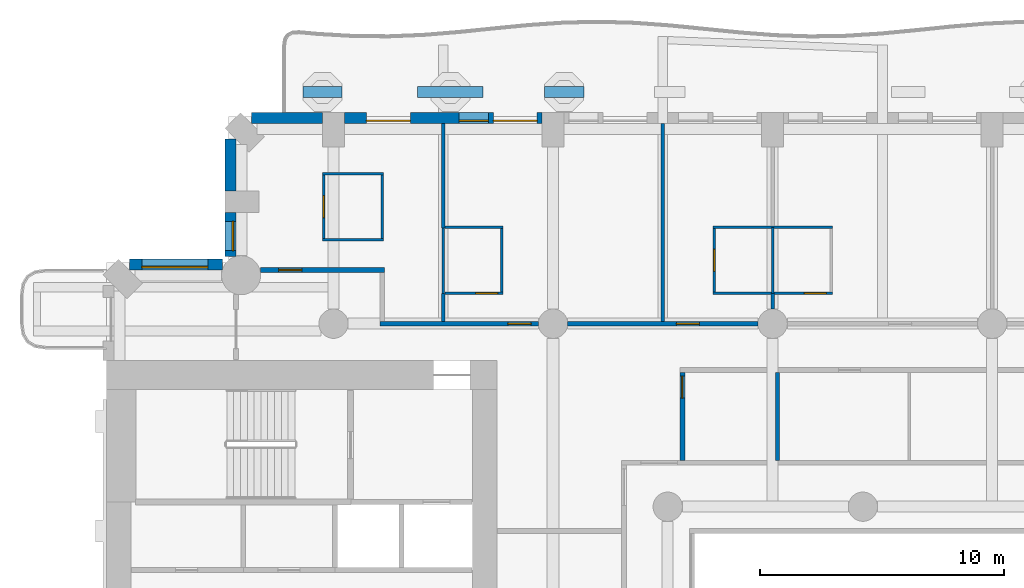
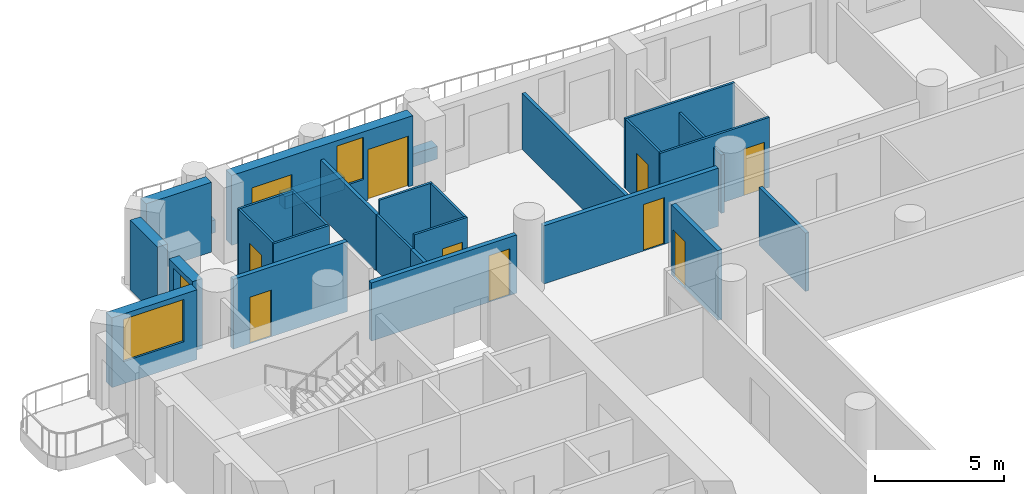
# One storey, part 8 of 20: 29 walls, 10 doors, 3 windows, 13 openings.
"""IFC4 building model written with IfcOpenShell, lengths in metres."""

from ifc_helpers import new_model, si_unit, direction, frame, frame_2d, origin, place, context, subcontext, project, spatial, rectangle, extrude, material, layer, layer_set, type_object, element, fill, save


model = new_model("IFC4")

# Units and contexts
model_context = context("Model", 3, precision=1e-05, world=origin(), true_north=direction((0.0, 1.0)))
body_context = subcontext(model_context, "Body", "Model", "MODEL_VIEW")
ifc_project = project(units=[si_unit("LENGTHUNIT", "METRE"), si_unit("AREAUNIT", "SQUARE_METRE"), si_unit("VOLUMEUNIT", "CUBIC_METRE"), si_unit("PLANEANGLEUNIT", "RADIAN"), si_unit("MASSUNIT", "GRAM", prefix="KILO")], contexts=[model_context])

# Site, building, storey
site_placement = place(None, origin())
site = spatial("IfcSite", under=ifc_project, at=site_placement, CompositionType="ELEMENT")
building_placement = place(site_placement, origin())
building = spatial("IfcBuilding", under=site, at=building_placement, Name="Cypress Arch Tower", CompositionType="ELEMENT")
storey_placement = place(building_placement, frame((0.0, 0.0, 95.10009765625)))
storey = spatial("IfcBuildingStorey", under=building, at=storey_placement, Name="L18", CompositionType="ELEMENT", Elevation=95.10009765625)

# Walls
ifc_material_1 = material(Name="Concrete C40/50, waterproofed", Category="concrete")
ifc_layer_1 = layer(ifc_material_1, 0.449951171875)
ifc_layer_set_1 = layer_set([ifc_layer_1], Name="Balcony planter wall PW450")
wall_type_1 = type_object("IfcWallType", Name="Balcony planter wall PW450", PredefinedType="SOLIDWALL", material=ifc_layer_set_1)
wall_1_placement = place(storey_placement, frame((-10.4375, 27.0, 0.0), z_axis=(0.0, 0.0, 1.0), x_axis=(-1.0, 0.0, 0.0)))
element("IfcWall", 1, at=wall_1_placement, inside=storey, type_object=wall_type_1, Name="Balcony planter wall L18-A08.4", PredefinedType="SOLIDWALL", context=body_context, shape_type="SweptSolid", body=[
    extrude(rectangle(XDim=1.612548828125, YDim=0.449951171875, at=frame_2d((0.80615234375, 0.0))), origin(), (0.0, 0.0, 1.0), 0.599853515625),
])
wall_2_placement = place(storey_placement, frame((-14.574951171875, 27.0, 0.0), z_axis=(0.0, 0.0, 1.0), x_axis=(-1.0, 0.0, 0.0)))
element("IfcWall", 2, at=wall_2_placement, inside=storey, type_object=wall_type_1, Name="Balcony planter wall L18-A08.5", PredefinedType="SOLIDWALL", context=body_context, shape_type="SweptSolid", body=[
    extrude(rectangle(XDim=2.675048828125, YDim=0.449951171875, at=frame_2d((1.33740234375, 0.0))), origin(), (0.0, 0.0, 1.0), 0.599853515625),
])
wall_3_placement = place(storey_placement, frame((-20.35009765625, 27.0, 0.0), z_axis=(0.0, 0.0, 1.0), x_axis=(-1.0, 0.0, 0.0)))
element("IfcWall", 3, at=wall_3_placement, inside=storey, type_object=wall_type_1, Name="Balcony planter wall L18-A08.6", PredefinedType="SOLIDWALL", context=body_context, shape_type="SweptSolid", body=[
    extrude(rectangle(XDim=1.599853515625, YDim=0.449951171875, at=frame_2d((0.7998046875, 0.0))), origin(), (0.0, 0.0, 1.0), 0.599853515625),
])

# Wall, openings, doors, window
ifc_material_2 = material(Name="Brick (red buff blend)", Category="masonry")
ifc_layer_2 = layer(ifc_material_2, 0.449951171875)
ifc_layer_set_2 = layer_set([ifc_layer_2], Name="Brick pier and spandrel wall BW450")
wall_type_2 = type_object("IfcWallType", Name="Brick pier and spandrel wall BW450", PredefinedType="SOLIDWALL", material=ifc_layer_set_2)
wall_4_placement = place(storey_placement, frame((-12.14990234375, 25.925048828125, 0.0), z_axis=(0.0, 0.0, 1.0), x_axis=(-1.0, 0.0, 0.0)))
wall_4 = element("IfcWall", 4, at=wall_4_placement, inside=storey, type_object=wall_type_2, Name="Brick wall L18 A08.3", PredefinedType="SOLIDWALL", context=body_context, shape_type="SweptSolid", body=[
    extrude(rectangle(XDim=8.10009765625, YDim=0.449951171875, at=frame_2d((4.050048828125, 0.0))), origin(), (0.0, 0.0, 1.0), 3.2998046875),
])
opening_1_placement = place(wall_4_placement, frame((0.199951171875, 0.0, 0.0)))
opening_1 = element("IfcOpeningElement", 5, at=opening_1_placement, cuts=wall_4, Name="Opening D-L18-A08.3.1", PredefinedType="OPENING", context=body_context, shape_type="SweptSolid", body=[
    extrude(rectangle(XDim=1.800048828125, YDim=2.39990234375, at=frame_2d((0.89990234375, 1.199951171875))), frame((0.0, 0.23486328125, 0.0), z_axis=(0.0, -1.0, 0.0), x_axis=(1.0, 0.0, 0.0)), (0.0, 0.0, 1.0), 0.469970703125),
])
opening_2_placement = place(wall_4_placement, frame((2.199951171875, 0.0, 1.050048828125)))
opening_2 = element("IfcOpeningElement", 6, at=opening_2_placement, cuts=wall_4, Name="Opening W120HD", PredefinedType="OPENING", context=body_context, shape_type="SweptSolid", body=[
    extrude(rectangle(XDim=1.199951171875, YDim=2.0, at=frame_2d((0.60009765625, 1.0))), frame((0.0, 0.23486328125, 0.0), z_axis=(0.0, -1.0, 0.0), x_axis=(1.0, 0.0, 0.0)), (0.0, 0.0, 1.0), 0.469970703125),
])
opening_3_placement = place(wall_4_placement, frame((5.39990234375, 0.0, 0.0)))
opening_3 = element("IfcOpeningElement", 7, at=opening_3_placement, cuts=wall_4, Name="Opening D-L18-A08.3.2", PredefinedType="OPENING", context=body_context, shape_type="SweptSolid", body=[
    extrude(rectangle(XDim=1.800048828125, YDim=2.39990234375, at=frame_2d((0.89990234375, 1.199951171875))), frame((0.0, 0.23486328125, 0.0), z_axis=(0.0, -1.0, 0.0), x_axis=(1.0, 0.0, 0.0)), (0.0, 0.0, 1.0), 0.469970703125),
])
ifc_material_3 = material(Name="Anodised aluminium, bronze finish, laminated low-emissivity double glazing, large-missile impact rated", Category="aluminium")
door_type_1 = type_object("IfcDoorType", Name="Balcony sliding door 1800x2400", OperationType="SLIDING_TO_LEFT", PredefinedType="DOOR", material=ifc_material_3)
door_1_placement = place(opening_1_placement, origin())
door_1 = element("IfcDoor", 8, at=door_1_placement, inside=storey, type_object=door_type_1, Name="Balcony door L18 A08.3.1", OperationType="SLIDING_TO_LEFT", OverallHeight=2.39990234375, OverallWidth=1.800048828125, PredefinedType="DOOR", context=body_context, shape_type="SweptSolid", body=[
    extrude(rectangle(XDim=1.800048828125, YDim=2.39990234375, at=frame_2d((0.89990234375, 1.199951171875))), frame((0.0, 0.1298828125, 0.0), z_axis=(0.0, -1.0, 0.0), x_axis=(1.0, 0.0, 0.0)), (0.0, 0.0, 1.0), 0.050048828125),
])
fill(opening_1, door_1)
door_2_placement = place(opening_3_placement, origin())
door_2 = element("IfcDoor", 9, at=door_2_placement, inside=storey, type_object=door_type_1, Name="Balcony door L18 A08.3.2", OperationType="SLIDING_TO_LEFT", OverallHeight=2.39990234375, OverallWidth=1.800048828125, PredefinedType="DOOR", context=body_context, shape_type="SweptSolid", body=[
    extrude(rectangle(XDim=1.800048828125, YDim=2.39990234375, at=frame_2d((0.89990234375, 1.199951171875))), frame((0.0, 0.1298828125, 0.0), z_axis=(0.0, -1.0, 0.0), x_axis=(1.0, 0.0, 0.0)), (0.0, 0.0, 1.0), 0.050048828125),
])
fill(opening_3, door_2)
ifc_material_4 = material(Name="Anodised aluminium, bronze finish, laminated low-emissivity double glazing, large-missile impact rated", Category="aluminium")
window_type_1 = type_object("IfcWindowType", Name="Window Hotel 1200x2000 debris-rated", PartitioningType="SINGLE_PANEL", PredefinedType="WINDOW", material=ifc_material_4)
window_1_placement = place(opening_2_placement, origin())
window_1 = element("IfcWindow", 10, at=window_1_placement, inside=storey, type_object=window_type_1, Name="Window L18 A08.3.1", OverallHeight=2.0, OverallWidth=1.199951171875, PartitioningType="SINGLE_PANEL", PredefinedType="WINDOW", context=body_context, shape_type="SweptSolid", body=[
    extrude(rectangle(XDim=1.199951171875, YDim=2.0, at=frame_2d((0.60009765625, 1.0))), frame((0.0, 0.135009765625, 0.0), z_axis=(0.0, -1.0, 0.0), x_axis=(1.0, 0.0, 0.0)), (0.0, 0.0, 1.0), 0.06005859375),
])
fill(opening_2, window_1)

# Walls
wall_5_placement = place(storey_placement, frame((-21.14990234375, 25.925048828125, 0.0), z_axis=(0.0, 0.0, 1.0), x_axis=(-1.0, 0.0, 0.0)))
element("IfcWall", 11, at=wall_5_placement, inside=storey, type_object=wall_type_2, Name="Brick wall L18 A08.4", PredefinedType="SOLIDWALL", context=body_context, shape_type="SweptSolid", body=[
    extrude(rectangle(XDim=2.913818359375, YDim=0.449951171875, at=frame_2d((1.45703125, 0.0))), origin(), (0.0, 0.0, 1.0), 3.2998046875),
])
wall_6_placement = place(storey_placement, frame((-24.925048828125, 25.063720703125, 0.0), z_axis=(0.0, 0.0, 1.0), x_axis=(0.0, -1.0, 0.0)))
element("IfcWall", 12, at=wall_6_placement, inside=storey, type_object=wall_type_2, Name="Brick wall L18 A09.0", PredefinedType="SOLIDWALL", context=body_context, shape_type="SweptSolid", body=[
    extrude(rectangle(XDim=2.11376953125, YDim=0.449951171875, at=frame_2d((1.056884765625, 0.0))), origin(), (0.0, 0.0, 1.0), 3.2998046875),
])

# Wall, opening, window
wall_7_placement = place(storey_placement, frame((-24.925048828125, 22.050048828125, 0.0), z_axis=(0.0, 0.0, 1.0), x_axis=(0.0, -1.0, 0.0)))
wall_7 = element("IfcWall", 13, at=wall_7_placement, inside=storey, type_object=wall_type_2, Name="Brick wall L18 A09.1", PredefinedType="SOLIDWALL", context=body_context, shape_type="SweptSolid", body=[
    extrude(rectangle(XDim=1.79150390625, YDim=0.449951171875, at=frame_2d((0.895751953125, 0.0))), origin(), (0.0, 0.0, 1.0), 3.2998046875),
])
opening_4_placement = place(wall_7_placement, frame((0.35009765625, 0.0, 1.050048828125)))
opening_4 = element("IfcOpeningElement", 14, at=opening_4_placement, cuts=wall_7, Name="Opening W120H", PredefinedType="OPENING", context=body_context, shape_type="SweptSolid", body=[
    extrude(rectangle(XDim=1.199951171875, YDim=2.0, at=frame_2d((0.60009765625, 1.0))), frame((0.0, 0.23486328125, 0.0), z_axis=(0.0, -1.0, 0.0), x_axis=(1.0, 0.0, 0.0)), (0.0, 0.0, 1.0), 0.469970703125),
])
ifc_material_5 = material(Name="Anodised aluminium, bronze finish, clear low-emissivity double glazing", Category="aluminium")
window_type_2 = type_object("IfcWindowType", Name="Window Hotel 1200x2000", PartitioningType="SINGLE_PANEL", PredefinedType="WINDOW", material=ifc_material_5)
window_2_placement = place(opening_4_placement, origin())
window_2 = element("IfcWindow", 15, at=window_2_placement, inside=storey, type_object=window_type_2, Name="Window L18 A09.1.1", OverallHeight=2.0, OverallWidth=1.199951171875, PartitioningType="SINGLE_PANEL", PredefinedType="WINDOW", context=body_context, shape_type="SweptSolid", body=[
    extrude(rectangle(XDim=1.199951171875, YDim=2.0, at=frame_2d((0.60009765625, 1.0))), frame((0.0, 0.135009765625, 0.0), z_axis=(0.0, -1.0, 0.0), x_axis=(1.0, 0.0, 0.0)), (0.0, 0.0, 1.0), 0.06005859375),
])
fill(opening_4, window_2)

wall_8_placement = place(storey_placement, frame((-25.258544921875, 19.925048828125, 0.0), z_axis=(0.0, 0.0, 1.0), x_axis=(-1.0, 0.0, 0.0)))
wall_8 = element("IfcWall", 16, at=wall_8_placement, inside=storey, type_object=wall_type_2, Name="Brick wall L18 A10.0", PredefinedType="SOLIDWALL", context=body_context, shape_type="SweptSolid", body=[
    extrude(rectangle(XDim=3.80517578125, YDim=0.449951171875, at=frame_2d((1.902587890625, 0.0))), origin(), (0.0, 0.0, 1.0), 3.2998046875),
])
opening_5_placement = place(wall_8_placement, frame((0.591552734375, 0.0, 1.050048828125)))
opening_5 = element("IfcOpeningElement", 17, at=opening_5_placement, cuts=wall_8, Name="Opening W270H", PredefinedType="OPENING", context=body_context, shape_type="SweptSolid", body=[
    extrude(rectangle(XDim=2.699951171875, YDim=2.0, at=frame_2d((1.35009765625, 1.0))), frame((0.0, 0.23486328125, 0.0), z_axis=(0.0, -1.0, 0.0), x_axis=(1.0, 0.0, 0.0)), (0.0, 0.0, 1.0), 0.469970703125),
])
ifc_material_6 = material(Name="Anodised aluminium, bronze finish, clear low-emissivity double glazing", Category="aluminium")
window_type_3 = type_object("IfcWindowType", Name="Window Hotel 2700x2000", PartitioningType="SINGLE_PANEL", PredefinedType="WINDOW", material=ifc_material_6)
window_3_placement = place(opening_5_placement, origin())
window_3 = element("IfcWindow", 18, at=window_3_placement, inside=storey, type_object=window_type_3, Name="Window L18 A10.0.1", OverallHeight=2.0, OverallWidth=2.699951171875, PartitioningType="SINGLE_PANEL", PredefinedType="WINDOW", context=body_context, shape_type="SweptSolid", body=[
    extrude(rectangle(XDim=2.699951171875, YDim=2.0, at=frame_2d((1.35009765625, 1.0))), frame((0.0, 0.135009765625, 0.0), z_axis=(0.0, -1.0, 0.0), x_axis=(1.0, 0.0, 0.0)), (0.0, 0.0, 1.0), 0.06005859375),
])
fill(opening_5, window_3)

# Wall, opening, door
ifc_material_7 = material(Name="Concrete blockwork, plastered, rated", Category="masonry")
ifc_layer_3 = layer(ifc_material_7, 0.199951171875)
ifc_layer_set_3 = layer_set([ifc_layer_3], Name="Corridor wall FW200")
wall_type_3 = type_object("IfcWallType", Name="Corridor wall FW200", PredefinedType="PARTITIONING", material=ifc_layer_set_3)
wall_9_placement = place(storey_placement, frame((-23.7001953125, 19.699951171875, 0.0), z_axis=(0.0, 0.0, 1.0), x_axis=(1.0, 0.0, 0.0)))
wall_9 = element("IfcWall", 19, at=wall_9_placement, inside=storey, type_object=wall_type_3, Name="Corridor wall", PredefinedType="PARTITIONING", context=body_context, shape_type="SweptSolid", body=[
    extrude(rectangle(XDim=5.10009765625, YDim=0.199951171875, at=frame_2d((2.550048828125, 0.0))), origin(), (0.0, 0.0, 1.0), 3.2998046875),
])
opening_6_placement = place(wall_9_placement, frame((0.75, 0.0, 0.0)))
opening_6 = element("IfcOpeningElement", 20, at=opening_6_placement, cuts=wall_9, Name="Opening D02", PredefinedType="OPENING", context=body_context, shape_type="SweptSolid", body=[
    extrude(rectangle(XDim=0.949951171875, YDim=2.199951171875, at=frame_2d((0.47509765625, 1.10009765625))), frame((0.0, 0.10986328125, 0.0), z_axis=(0.0, -1.0, 0.0), x_axis=(1.0, 0.0, 0.0)), (0.0, 0.0, 1.0), 0.219970703125),
])
ifc_material_8 = material(Name="Timber flush door, fire resisting", Category="wood")
door_type_2 = type_object("IfcDoorType", Name="Room door D02 950x2200", OperationType="SINGLE_SWING_LEFT", PredefinedType="DOOR", material=ifc_material_8)
door_3_placement = place(opening_6_placement, origin())
door_3 = element("IfcDoor", 21, at=door_3_placement, inside=storey, type_object=door_type_2, Name="Room door", OperationType="SINGLE_SWING_LEFT", OverallHeight=2.199951171875, OverallWidth=0.949951171875, PredefinedType="DOOR", context=body_context, shape_type="SweptSolid", body=[
    extrude(rectangle(XDim=0.949951171875, YDim=2.199951171875, at=frame_2d((0.47509765625, 1.10009765625))), frame((0.0, 0.02490234375, 0.0), z_axis=(0.0, -1.0, 0.0), x_axis=(1.0, 0.0, 0.0)), (0.0, 0.0, 1.0), 0.050048828125),
])
fill(opening_6, door_3)

wall_10_placement = place(storey_placement, frame((-18.800048828125, 17.5, 0.0), z_axis=(0.0, 0.0, 1.0), x_axis=(1.0, 0.0, 0.0)))
wall_10 = element("IfcWall", 22, at=wall_10_placement, inside=storey, type_object=wall_type_3, Name="Corridor wall", PredefinedType="PARTITIONING", context=body_context, shape_type="SweptSolid", body=[
    extrude(rectangle(XDim=6.5, YDim=0.199951171875, at=frame_2d((3.25, 0.0))), origin(), (0.0, 0.0, 1.0), 2.75),
])
opening_7_placement = place(wall_10_placement, frame((5.25, 0.0, 0.0)))
opening_7 = element("IfcOpeningElement", 23, at=opening_7_placement, cuts=wall_10, Name="Opening D02", PredefinedType="OPENING", context=body_context, shape_type="SweptSolid", body=[
    extrude(rectangle(XDim=0.949951171875, YDim=2.199951171875, at=frame_2d((0.47509765625, 1.10009765625))), frame((0.0, 0.10986328125, 0.0), z_axis=(0.0, -1.0, 0.0), x_axis=(1.0, 0.0, 0.0)), (0.0, 0.0, 1.0), 0.219970703125),
])
door_4_placement = place(opening_7_placement, origin())
door_4 = element("IfcDoor", 24, at=door_4_placement, inside=storey, type_object=door_type_2, Name="Room door", OperationType="SINGLE_SWING_RIGHT", OverallHeight=2.199951171875, OverallWidth=0.949951171875, PredefinedType="DOOR", context=body_context, shape_type="SweptSolid", body=[
    extrude(rectangle(XDim=0.949951171875, YDim=2.199951171875, at=frame_2d((0.47509765625, 1.10009765625))), frame((0.0, 0.02490234375, 0.0), z_axis=(0.0, -1.0, 0.0), x_axis=(1.0, 0.0, 0.0)), (0.0, 0.0, 1.0), 0.050048828125),
])
fill(opening_7, door_4)

wall_11_placement = place(storey_placement, frame((-11.10009765625, 17.5, 0.0), z_axis=(0.0, 0.0, 1.0), x_axis=(1.0, 0.0, 0.0)))
wall_11 = element("IfcWall", 25, at=wall_11_placement, inside=storey, type_object=wall_type_3, Name="Corridor wall", PredefinedType="PARTITIONING", context=body_context, shape_type="SweptSolid", body=[
    extrude(rectangle(XDim=7.800048828125, YDim=0.199951171875, at=frame_2d((3.89990234375, 0.0))), origin(), (0.0, 0.0, 1.0), 2.75),
])
opening_8_placement = place(wall_11_placement, frame((4.449951171875, 0.0, 0.0)))
opening_8 = element("IfcOpeningElement", 26, at=opening_8_placement, cuts=wall_11, Name="Opening D02", PredefinedType="OPENING", context=body_context, shape_type="SweptSolid", body=[
    extrude(rectangle(XDim=0.949951171875, YDim=2.199951171875, at=frame_2d((0.47509765625, 1.10009765625))), frame((0.0, 0.10986328125, 0.0), z_axis=(0.0, -1.0, 0.0), x_axis=(1.0, 0.0, 0.0)), (0.0, 0.0, 1.0), 0.219970703125),
])
door_5_placement = place(opening_8_placement, origin())
door_5 = element("IfcDoor", 27, at=door_5_placement, inside=storey, type_object=door_type_2, Name="Room door", OperationType="SINGLE_SWING_LEFT", OverallHeight=2.199951171875, OverallWidth=0.949951171875, PredefinedType="DOOR", context=body_context, shape_type="SweptSolid", body=[
    extrude(rectangle(XDim=0.949951171875, YDim=2.199951171875, at=frame_2d((0.47509765625, 1.10009765625))), frame((0.0, 0.02490234375, 0.0), z_axis=(0.0, -1.0, 0.0), x_axis=(1.0, 0.0, 0.0)), (0.0, 0.0, 1.0), 0.050048828125),
])
fill(opening_8, door_5)

wall_12_placement = place(storey_placement, frame((-6.39990234375, 11.89990234375, 0.0), z_axis=(0.0, 0.0, 1.0), x_axis=(0.0, 1.0, 0.0)))
wall_12 = element("IfcWall", 28, at=wall_12_placement, inside=storey, type_object=wall_type_3, Name="Corridor wall", PredefinedType="PARTITIONING", context=body_context, shape_type="SweptSolid", body=[
    extrude(rectangle(XDim=3.60009765625, YDim=0.199951171875, at=frame_2d((1.800048828125, 0.0))), origin(), (0.0, 0.0, 1.0), 3.2998046875),
])
opening_9_placement = place(wall_12_placement, frame((2.550048828125, 0.0, 0.0)))
opening_9 = element("IfcOpeningElement", 29, at=opening_9_placement, cuts=wall_12, Name="Opening D05", PredefinedType="OPENING", context=body_context, shape_type="SweptSolid", body=[
    extrude(rectangle(XDim=0.89990234375, YDim=2.199951171875, at=frame_2d((0.449951171875, 1.10009765625))), frame((0.0, 0.10986328125, 0.0), z_axis=(0.0, -1.0, 0.0), x_axis=(1.0, 0.0, 0.0)), (0.0, 0.0, 1.0), 0.219970703125),
])
ifc_material_9 = material(Name="Timber flush door", Category="wood")
door_type_3 = type_object("IfcDoorType", Name="Service door D05 900x2200", OperationType="SINGLE_SWING_LEFT", PredefinedType="DOOR", material=ifc_material_9)
door_6_placement = place(opening_9_placement, origin())
door_6 = element("IfcDoor", 30, at=door_6_placement, inside=storey, type_object=door_type_3, Name="Service door", OperationType="SINGLE_SWING_LEFT", OverallHeight=2.199951171875, OverallWidth=0.89990234375, PredefinedType="DOOR", context=body_context, shape_type="SweptSolid", body=[
    extrude(rectangle(XDim=0.89990234375, YDim=2.199951171875, at=frame_2d((0.449951171875, 1.10009765625))), frame((0.0, 0.02490234375, 0.0), z_axis=(0.0, -1.0, 0.0), x_axis=(1.0, 0.0, 0.0)), (0.0, 0.0, 1.0), 0.050048828125),
])
fill(opening_9, door_6)

# Walls
ifc_material_10 = material(Name="Blockwork, plastered both sides", Category="masonry")
ifc_layer_4 = layer(ifc_material_10, 0.14990234375)
ifc_layer_set_4 = layer_set([ifc_layer_4], Name="Partition PW150")
wall_type_4 = type_object("IfcWallType", Name="Partition PW150", PredefinedType="PARTITIONING", material=ifc_layer_set_4)
wall_13_placement = place(storey_placement, frame((-16.199951171875, 17.60009765625, 0.0), z_axis=(0.0, 0.0, 1.0), x_axis=(0.0, 1.0, 0.0)))
element("IfcWall", 31, at=wall_13_placement, inside=storey, type_object=wall_type_4, Name="Partition", PredefinedType="PARTITIONING", context=body_context, shape_type="SweptSolid", body=[
    extrude(rectangle(XDim=1.1298828125, YDim=0.14990234375, at=frame_2d((0.56494140625, 0.0))), origin(), (0.0, 0.0, 1.0), 2.64990234375),
])
wall_14_placement = place(storey_placement, frame((-16.199951171875, 21.429931640625, 0.0), z_axis=(0.0, 0.0, 1.0), x_axis=(0.0, 1.0, 0.0)))
element("IfcWall", 32, at=wall_14_placement, inside=storey, type_object=wall_type_4, Name="Partition", PredefinedType="PARTITIONING", context=body_context, shape_type="SweptSolid", body=[
    extrude(rectangle(XDim=4.27001953125, YDim=0.14990234375, at=frame_2d((2.135009765625, 0.0))), origin(), (0.0, 0.0, 1.0), 2.64990234375),
])
wall_15_placement = place(storey_placement, frame((-7.199951171875, 17.60009765625, 0.0), z_axis=(0.0, 0.0, 1.0), x_axis=(0.0, 1.0, 0.0)))
element("IfcWall", 33, at=wall_15_placement, inside=storey, type_object=wall_type_4, Name="Partition", PredefinedType="PARTITIONING", context=body_context, shape_type="SweptSolid", body=[
    extrude(rectangle(XDim=8.099853515625, YDim=0.14990234375, at=frame_2d((4.0498046875, 0.0))), origin(), (0.0, 0.0, 1.0), 2.64990234375),
])
wall_16_placement = place(storey_placement, frame((-2.699951171875, 18.10009765625, 0.0), z_axis=(0.0, 0.0, 1.0), x_axis=(0.0, 1.0, 0.0)))
element("IfcWall", 34, at=wall_16_placement, inside=storey, type_object=wall_type_4, Name="Partition", PredefinedType="PARTITIONING", context=body_context, shape_type="SweptSolid", body=[
    extrude(rectangle(XDim=0.6298828125, YDim=0.14990234375, at=frame_2d((0.31494140625, 0.0))), origin(), (0.0, 0.0, 1.0), 2.75),
])
wall_17_placement = place(storey_placement, frame((-2.5, 11.89990234375, 0.0), z_axis=(0.0, 0.0, 1.0), x_axis=(0.0, 1.0, 0.0)))
element("IfcWall", 35, at=wall_17_placement, inside=storey, type_object=wall_type_4, Name="Partition", PredefinedType="PARTITIONING", context=body_context, shape_type="SweptSolid", body=[
    extrude(rectangle(XDim=3.60009765625, YDim=0.14990234375, at=frame_2d((1.800048828125, 0.0))), origin(), (0.0, 0.0, 1.0), 2.75),
])

# Wall, opening, door
ifc_material_11 = material(Name="Moisture resistant board on steel studs, tiled", Category="steel")
ifc_layer_5 = layer(ifc_material_11, 0.10009765625)
ifc_layer_set_5 = layer_set([ifc_layer_5], Name="Wet wall PW100")
wall_type_5 = type_object("IfcWallType", Name="Wet wall PW100", PredefinedType="PARTITIONING", material=ifc_layer_set_5)
wall_18_placement = place(storey_placement, frame((-21.10009765625, 21.0, 0.0), z_axis=(0.0, 0.0, 1.0), x_axis=(0.0, 1.0, 0.0)))
wall_18 = element("IfcWall", 36, at=wall_18_placement, inside=storey, type_object=wall_type_5, Name="Wet wall", PredefinedType="PARTITIONING", context=body_context, shape_type="SweptSolid", body=[
    extrude(rectangle(XDim=2.60009765625, YDim=0.10009765625, at=frame_2d((1.300048828125, 0.0))), origin(), (0.0, 0.0, 1.0), 3.2998046875),
])
opening_10_placement = place(wall_18_placement, frame((0.85009765625, 0.0, 0.0)))
opening_10 = element("IfcOpeningElement", 37, at=opening_10_placement, cuts=wall_18, Name="Opening D03", PredefinedType="OPENING", context=body_context, shape_type="SweptSolid", body=[
    extrude(rectangle(XDim=0.89990234375, YDim=2.199951171875, at=frame_2d((0.449951171875, 1.10009765625))), frame((0.0, 0.06005859375, 0.0), z_axis=(0.0, -1.0, 0.0), x_axis=(1.0, 0.0, 0.0)), (0.0, 0.0, 1.0), 0.1201171875),
])
ifc_material_12 = material(Name="Timber flush door, moisture resistant", Category="wood")
door_type_4 = type_object("IfcDoorType", Name="Bathroom door D03 900x2200", OperationType="SINGLE_SWING_LEFT", PredefinedType="DOOR", material=ifc_material_12)
door_7_placement = place(opening_10_placement, origin())
door_7 = element("IfcDoor", 38, at=door_7_placement, inside=storey, type_object=door_type_4, Name="Bathroom door", OperationType="SINGLE_SWING_LEFT", OverallHeight=2.199951171875, OverallWidth=0.89990234375, PredefinedType="DOOR", context=body_context, shape_type="SweptSolid", body=[
    extrude(rectangle(XDim=0.89990234375, YDim=2.199951171875, at=frame_2d((0.449951171875, 1.10009765625))), frame((0.0, 0.02490234375, 0.0), z_axis=(0.0, -1.0, 0.0), x_axis=(1.0, 0.0, 0.0)), (0.0, 0.0, 1.0), 0.050048828125),
])
fill(opening_10, door_7)

# Walls
for number, where, z_axis, x_axis, name in (
    (39, (-21.14990234375, 20.949951171875, 0.0), (0.0, 0.0, 1.0), (1.0, 0.0, 0.0), "Wet wall"),
    (40, (-21.14990234375, 23.64990234375, 0.0), (0.0, 0.0, 1.0), (1.0, 0.0, 0.0), "Wet wall"),
):
    element("IfcWall", number, at=place(storey_placement, frame(where, z_axis=z_axis, x_axis=x_axis)), inside=storey, type_object=wall_type_5, Name=name, PredefinedType="PARTITIONING", context=body_context, shape_type="SweptSolid", body=[
        extrude(rectangle(XDim=2.5, YDim=0.10009765625, at=frame_2d((1.25, 0.0))), origin(), (0.0, 0.0, 1.0), 3.2998046875),
    ])
wall_19_placement = place(storey_placement, frame((-18.699951171875, 21.0, 0.0), z_axis=(0.0, 0.0, 1.0), x_axis=(0.0, 1.0, 0.0)))
element("IfcWall", 41, at=wall_19_placement, inside=storey, type_object=wall_type_5, Name="Wet wall", PredefinedType="PARTITIONING", context=body_context, shape_type="SweptSolid", body=[
    extrude(rectangle(XDim=2.60009765625, YDim=0.10009765625, at=frame_2d((1.300048828125, 0.0))), origin(), (0.0, 0.0, 1.0), 3.2998046875),
])
wall_20_placement = place(storey_placement, frame((-16.199951171875, 18.72998046875, 0.0), z_axis=(0.0, 0.0, 1.0), x_axis=(0.0, 1.0, 0.0)))
element("IfcWall", 42, at=wall_20_placement, inside=storey, type_object=wall_type_5, Name="Wet wall", PredefinedType="PARTITIONING", context=body_context, shape_type="SweptSolid", body=[
    extrude(rectangle(XDim=2.699951171875, YDim=0.10009765625, at=frame_2d((1.35009765625, 0.0))), origin(), (0.0, 0.0, 1.0), 2.64990234375),
])

# Wall, opening, door
wall_21_placement = place(storey_placement, frame((-16.125, 18.75, 0.0), z_axis=(0.0, 0.0, 1.0), x_axis=(1.0, 0.0, 0.0)))
wall_21 = element("IfcWall", 43, at=wall_21_placement, inside=storey, type_object=wall_type_5, Name="Wet wall", PredefinedType="PARTITIONING", context=body_context, shape_type="SweptSolid", body=[
    extrude(rectangle(XDim=2.37109375, YDim=0.10009765625, at=frame_2d((1.185546875, 0.0))), origin(), (0.0, 0.0, 1.0), 3.2998046875),
])
opening_11_placement = place(wall_21_placement, frame((1.25, 0.0, 0.0)))
opening_11 = element("IfcOpeningElement", 44, at=opening_11_placement, cuts=wall_21, Name="Opening D03", PredefinedType="OPENING", context=body_context, shape_type="SweptSolid", body=[
    extrude(rectangle(XDim=0.89990234375, YDim=2.199951171875, at=frame_2d((0.449951171875, 1.10009765625))), frame((0.0, 0.06005859375, 0.0), z_axis=(0.0, -1.0, 0.0), x_axis=(1.0, 0.0, 0.0)), (0.0, 0.0, 1.0), 0.1201171875),
])
door_8_placement = place(opening_11_placement, origin())
door_8 = element("IfcDoor", 45, at=door_8_placement, inside=storey, type_object=door_type_4, Name="Bathroom door", OperationType="SINGLE_SWING_RIGHT", OverallHeight=2.199951171875, OverallWidth=0.89990234375, PredefinedType="DOOR", context=body_context, shape_type="SweptSolid", body=[
    extrude(rectangle(XDim=0.89990234375, YDim=2.199951171875, at=frame_2d((0.449951171875, 1.10009765625))), frame((0.0, 0.02490234375, 0.0), z_axis=(0.0, -1.0, 0.0), x_axis=(1.0, 0.0, 0.0)), (0.0, 0.0, 1.0), 0.050048828125),
])
fill(opening_11, door_8)

# Walls
wall_22_placement = place(storey_placement, frame((-16.125, 21.449951171875, 0.0), z_axis=(0.0, 0.0, 1.0), x_axis=(1.0, 0.0, 0.0)))
element("IfcWall", 46, at=wall_22_placement, inside=storey, type_object=wall_type_5, Name="Wet wall", PredefinedType="PARTITIONING", context=body_context, shape_type="SweptSolid", body=[
    extrude(rectangle(XDim=2.37109375, YDim=0.10009765625, at=frame_2d((1.185546875, 0.0))), origin(), (0.0, 0.0, 1.0), 3.2998046875),
])
wall_23_placement = place(storey_placement, frame((-13.803955078125, 18.800048828125, 0.0), z_axis=(0.0, 0.0, 1.0), x_axis=(0.0, 1.0, 0.0)))
element("IfcWall", 47, at=wall_23_placement, inside=storey, type_object=wall_type_5, Name="Wet wall", PredefinedType="PARTITIONING", context=body_context, shape_type="SweptSolid", body=[
    extrude(rectangle(XDim=2.599853515625, YDim=0.10009765625, at=frame_2d((1.2998046875, 0.0))), origin(), (0.0, 0.0, 1.0), 3.2998046875),
])

# Wall, opening, door
wall_24_placement = place(storey_placement, frame((-5.095947265625, 18.800048828125, 0.0), z_axis=(0.0, 0.0, 1.0), x_axis=(0.0, 1.0, 0.0)))
wall_24 = element("IfcWall", 48, at=wall_24_placement, inside=storey, type_object=wall_type_5, Name="Wet wall", PredefinedType="PARTITIONING", context=body_context, shape_type="SweptSolid", body=[
    extrude(rectangle(XDim=2.599853515625, YDim=0.10009765625, at=frame_2d((1.2998046875, 0.0))), origin(), (0.0, 0.0, 1.0), 3.2998046875),
])
opening_12_placement = place(wall_24_placement, frame((0.85009765625, 0.0, 0.0)))
opening_12 = element("IfcOpeningElement", 49, at=opening_12_placement, cuts=wall_24, Name="Opening D03", PredefinedType="OPENING", context=body_context, shape_type="SweptSolid", body=[
    extrude(rectangle(XDim=0.89990234375, YDim=2.199951171875, at=frame_2d((0.449951171875, 1.10009765625))), frame((0.0, 0.06005859375, 0.0), z_axis=(0.0, -1.0, 0.0), x_axis=(1.0, 0.0, 0.0)), (0.0, 0.0, 1.0), 0.1201171875),
])
door_9_placement = place(opening_12_placement, origin())
door_9 = element("IfcDoor", 50, at=door_9_placement, inside=storey, type_object=door_type_4, Name="Bathroom door", OperationType="SINGLE_SWING_LEFT", OverallHeight=2.199951171875, OverallWidth=0.89990234375, PredefinedType="DOOR", context=body_context, shape_type="SweptSolid", body=[
    extrude(rectangle(XDim=0.89990234375, YDim=2.199951171875, at=frame_2d((0.449951171875, 1.10009765625))), frame((0.0, 0.02490234375, 0.0), z_axis=(0.0, -1.0, 0.0), x_axis=(1.0, 0.0, 0.0)), (0.0, 0.0, 1.0), 0.050048828125),
])
fill(opening_12, door_9)

wall_25_placement = place(storey_placement, frame((-5.14599609375, 18.75, 0.0), z_axis=(0.0, 0.0, 1.0), x_axis=(1.0, 0.0, 0.0)))
wall_25 = element("IfcWall", 51, at=wall_25_placement, inside=storey, type_object=wall_type_5, Name="Wet wall", PredefinedType="PARTITIONING", context=body_context, shape_type="SweptSolid", body=[
    extrude(rectangle(XDim=4.89208984375, YDim=0.10009765625, at=frame_2d((2.446044921875, 0.0))), origin(), (0.0, 0.0, 1.0), 3.2998046875),
])
opening_13_placement = place(wall_25_placement, frame((3.75, 0.0, 0.0)))
opening_13 = element("IfcOpeningElement", 52, at=opening_13_placement, cuts=wall_25, Name="Opening D03", PredefinedType="OPENING", context=body_context, shape_type="SweptSolid", body=[
    extrude(rectangle(XDim=0.89990234375, YDim=2.199951171875, at=frame_2d((0.449951171875, 1.10009765625))), frame((0.0, 0.06005859375, 0.0), z_axis=(0.0, -1.0, 0.0), x_axis=(1.0, 0.0, 0.0)), (0.0, 0.0, 1.0), 0.1201171875),
])
door_10_placement = place(opening_13_placement, origin())
door_10 = element("IfcDoor", 53, at=door_10_placement, inside=storey, type_object=door_type_4, Name="Bathroom door", OperationType="SINGLE_SWING_RIGHT", OverallHeight=2.199951171875, OverallWidth=0.89990234375, PredefinedType="DOOR", context=body_context, shape_type="SweptSolid", body=[
    extrude(rectangle(XDim=0.89990234375, YDim=2.199951171875, at=frame_2d((0.449951171875, 1.10009765625))), frame((0.0, 0.02490234375, 0.0), z_axis=(0.0, -1.0, 0.0), x_axis=(1.0, 0.0, 0.0)), (0.0, 0.0, 1.0), 0.050048828125),
])
fill(opening_13, door_10)

# Walls
wall_26_placement = place(storey_placement, frame((-5.14599609375, 21.449951171875, 0.0), z_axis=(0.0, 0.0, 1.0), x_axis=(1.0, 0.0, 0.0)))
element("IfcWall", 54, at=wall_26_placement, inside=storey, type_object=wall_type_5, Name="Wet wall", PredefinedType="PARTITIONING", context=body_context, shape_type="SweptSolid", body=[
    extrude(rectangle(XDim=4.89208984375, YDim=0.10009765625, at=frame_2d((2.446044921875, 0.0))), origin(), (0.0, 0.0, 1.0), 3.2998046875),
])
wall_27_placement = place(storey_placement, frame((-2.699951171875, 18.72998046875, 0.0), z_axis=(0.0, 0.0, 1.0), x_axis=(0.0, 1.0, 0.0)))
element("IfcWall", 55, at=wall_27_placement, inside=storey, type_object=wall_type_5, Name="Wet wall", PredefinedType="PARTITIONING", context=body_context, shape_type="SweptSolid", body=[
    extrude(rectangle(XDim=2.719970703125, YDim=0.10009765625, at=frame_2d((1.35986328125, 0.0))), origin(), (0.0, 0.0, 1.0), 2.75),
])

save(model, "model.ifc")
